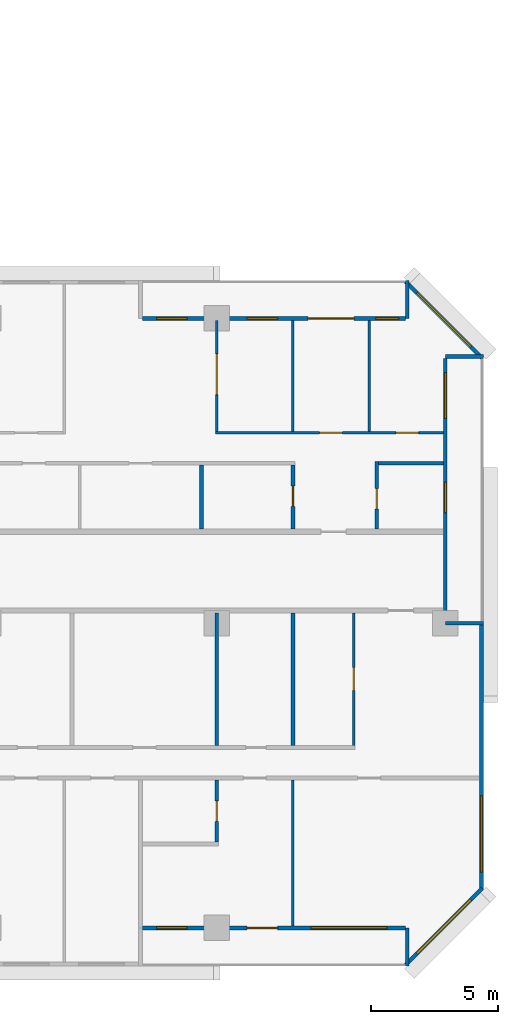
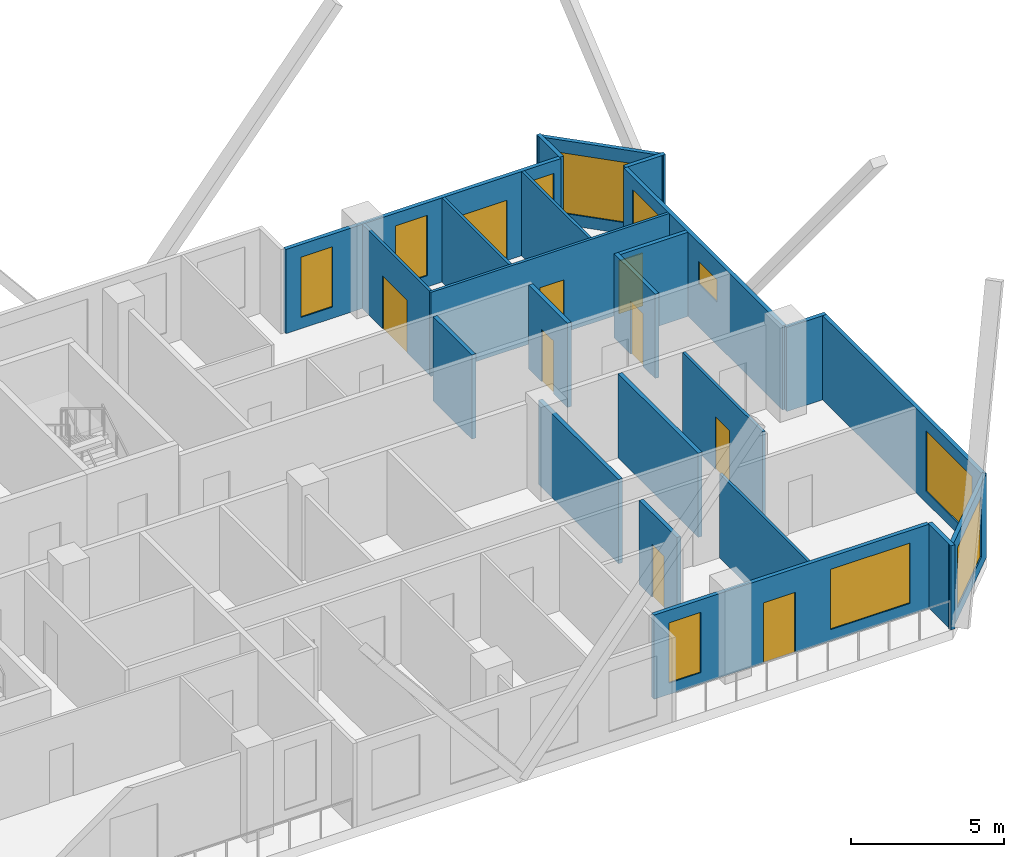
# One storey, part 12 of 15: 23 walls, 10 windows, 9 doors, 19 openings.
"""IFC4 building model written with IfcOpenShell, lengths in metres."""

from ifc_helpers import new_model, si_unit, direction, frame, frame_2d, origin, place, context, subcontext, project, spatial, rectangle, extrude, material, layer, layer_set, type_object, element, fill, save


model = new_model("IFC4")

# Units and contexts
model_context = context("Model", 3, precision=1e-05, world=origin(), true_north=direction((0.0, 1.0)))
body_context = subcontext(model_context, "Body", "Model", "MODEL_VIEW")
ifc_project = project(units=[si_unit("LENGTHUNIT", "METRE"), si_unit("AREAUNIT", "SQUARE_METRE"), si_unit("VOLUMEUNIT", "CUBIC_METRE"), si_unit("PLANEANGLEUNIT", "RADIAN"), si_unit("MASSUNIT", "GRAM", prefix="KILO")], contexts=[model_context])

# Site, building, storey
site_placement = place(None, origin())
site = spatial("IfcSite", under=ifc_project, at=site_placement, CompositionType="ELEMENT")
building_placement = place(site_placement, origin())
building = spatial("IfcBuilding", under=site, at=building_placement, Name="Chenar Terraces", CompositionType="ELEMENT")
storey_placement = place(building_placement, frame((0.0, 0.0, 129.39990234375)))
storey = spatial("IfcBuildingStorey", under=building, at=storey_placement, Name="L30", CompositionType="ELEMENT", Elevation=129.39990234375)

# Wall, opening, window
ifc_material_1 = material(Name="Aluminium framed glazing", Category="aluminium")
ifc_layer_1 = layer(ifc_material_1, 0.14990234375)
ifc_layer_set_1 = layer_set([ifc_layer_1], Name="Aluminium framed glazing")
wall_type_1 = type_object("IfcWallType", Name="Glazed flush facade wall 150", PredefinedType="SOLIDWALL", material=ifc_layer_set_1)
wall_1_placement = place(storey_placement, frame((73.425048828125, 1.5, 0.0), z_axis=(0.0, 0.0, 1.0), x_axis=(0.0, 1.0, 0.0)))
wall_1 = element("IfcWall", 1, at=wall_1_placement, inside=storey, type_object=wall_type_1, Name="Glazed flush facade wall", PredefinedType="SOLIDWALL", context=body_context, shape_type="SweptSolid", body=[
    extrude(rectangle(XDim=10.425048828125, YDim=0.14990234375, at=frame_2d((5.21240234375, 0.0))), origin(), (0.0, 0.0, 1.0), 3.35009765625),
])
opening_1_placement = place(wall_1_placement, frame((0.699951171875, 0.0, 0.449951171875)))
opening_1 = element("IfcOpeningElement", 2, at=opening_1_placement, cuts=wall_1, Name="Opening W300x240", PredefinedType="OPENING", context=body_context, shape_type="SweptSolid", body=[
    extrude(rectangle(XDim=3.0, YDim=2.39990234375, at=frame_2d((1.5, 1.199951171875))), frame((0.0, 0.0849609375, 0.0), z_axis=(0.0, -1.0, 0.0), x_axis=(1.0, 0.0, 0.0)), (0.0, 0.0, 1.0), 0.169921875),
])
ifc_material_2 = material(Name="Low emissivity double glazing, aluminium frame", Category="aluminium")
window_type_1 = type_object("IfcWindowType", Name="Fixed light 3000 x 2400", PartitioningType="SINGLE_PANEL", PredefinedType="WINDOW", material=ifc_material_2)
window_1_placement = place(opening_1_placement, origin())
window_1 = element("IfcWindow", 3, at=window_1_placement, inside=storey, type_object=window_type_1, Name="Window", OverallHeight=2.39990234375, OverallWidth=3.0, PartitioningType="SINGLE_PANEL", PredefinedType="WINDOW", context=body_context, shape_type="SweptSolid", body=[
    extrude(rectangle(XDim=3.0, YDim=2.39990234375, at=frame_2d((1.5, 1.199951171875))), frame((0.0, 0.030029296875, 0.0), z_axis=(0.0, -1.0, 0.0), x_axis=(1.0, 0.0, 0.0)), (0.0, 0.0, 1.0), 0.06005859375),
])
fill(opening_1, window_1)

# Wall, openings, windows, door
ifc_material_3 = material(Name="Aluminium framed glazing", Category="aluminium")
ifc_layer_2 = layer(ifc_material_3, 0.14990234375)
ifc_layer_set_2 = layer_set([ifc_layer_2], Name="Aluminium framed glazing")
wall_type_2 = type_object("IfcWallType", Name="Glazed loggia back wall 150", PredefinedType="SOLIDWALL", material=ifc_layer_set_2)
wall_2_placement = place(storey_placement, frame((70.425048828125, 24.0, 0.0), z_axis=(0.0, 0.0, 1.0), x_axis=(-1.0, 0.0, 0.0)))
wall_2 = element("IfcWall", 4, at=wall_2_placement, inside=storey, type_object=wall_type_2, Name="Glazed loggia back wall", PredefinedType="SOLIDWALL", context=body_context, shape_type="SweptSolid", body=[
    extrude(rectangle(XDim=10.35009765625, YDim=0.14990234375, at=frame_2d((5.175048828125, 0.0))), origin(), (0.0, 0.0, 1.0), 3.35009765625),
])
opening_2_placement = place(wall_2_placement, frame((0.262451171875, 0.0, 0.449951171875)))
opening_2 = element("IfcOpeningElement", 5, at=opening_2_placement, cuts=wall_2, Name="Opening W90x240", PredefinedType="OPENING", context=body_context, shape_type="SweptSolid", body=[
    extrude(rectangle(XDim=0.89990234375, YDim=2.39990234375, at=frame_2d((0.449951171875, 1.199951171875))), frame((0.0, 0.0849609375, 0.0), z_axis=(0.0, -1.0, 0.0), x_axis=(1.0, 0.0, 0.0)), (0.0, 0.0, 1.0), 0.169921875),
])
opening_3_placement = place(wall_2_placement, frame((2.02490234375, 0.0, 0.0)))
opening_3 = element("IfcOpeningElement", 6, at=opening_3_placement, cuts=wall_2, Name="Opening DL30-G1", PredefinedType="OPENING", context=body_context, shape_type="SweptSolid", body=[
    extrude(rectangle(XDim=1.800048828125, YDim=2.39990234375, at=frame_2d((0.89990234375, 1.199951171875))), frame((0.0, 0.0849609375, 0.0), z_axis=(0.0, -1.0, 0.0), x_axis=(1.0, 0.0, 0.0)), (0.0, 0.0, 1.0), 0.169921875),
])
opening_4_placement = place(wall_2_placement, frame((5.02490234375, 0.0, 0.449951171875)))
opening_4 = element("IfcOpeningElement", 7, at=opening_4_placement, cuts=wall_2, Name="Opening W120x240", PredefinedType="OPENING", context=body_context, shape_type="SweptSolid", body=[
    extrude(rectangle(XDim=1.199951171875, YDim=2.39990234375, at=frame_2d((0.60009765625, 1.199951171875))), frame((0.0, 0.0849609375, 0.0), z_axis=(0.0, -1.0, 0.0), x_axis=(1.0, 0.0, 0.0)), (0.0, 0.0, 1.0), 0.169921875),
])
opening_5_placement = place(wall_2_placement, frame((8.58740234375, 0.0, 0.449951171875)))
opening_5 = element("IfcOpeningElement", 8, at=opening_5_placement, cuts=wall_2, Name="Opening W120x240", PredefinedType="OPENING", context=body_context, shape_type="SweptSolid", body=[
    extrude(rectangle(XDim=1.199951171875, YDim=2.39990234375, at=frame_2d((0.60009765625, 1.199951171875))), frame((0.0, 0.0849609375, 0.0), z_axis=(0.0, -1.0, 0.0), x_axis=(1.0, 0.0, 0.0)), (0.0, 0.0, 1.0), 0.169921875),
])
ifc_material_4 = material(Name="Low emissivity double glazing, aluminium frame", Category="aluminium")
window_type_2 = type_object("IfcWindowType", Name="Fixed light 1200 x 2400", PartitioningType="SINGLE_PANEL", PredefinedType="WINDOW", material=ifc_material_4)
window_2_placement = place(opening_4_placement, origin())
window_2 = element("IfcWindow", 9, at=window_2_placement, inside=storey, type_object=window_type_2, Name="Window", OverallHeight=2.39990234375, OverallWidth=1.199951171875, PartitioningType="SINGLE_PANEL", PredefinedType="WINDOW", context=body_context, shape_type="SweptSolid", body=[
    extrude(rectangle(XDim=1.199951171875, YDim=2.39990234375, at=frame_2d((0.60009765625, 1.199951171875))), frame((0.0, 0.030029296875, 0.0), z_axis=(0.0, -1.0, 0.0), x_axis=(1.0, 0.0, 0.0)), (0.0, 0.0, 1.0), 0.06005859375),
])
fill(opening_4, window_2)
window_3_placement = place(opening_5_placement, origin())
window_3 = element("IfcWindow", 10, at=window_3_placement, inside=storey, type_object=window_type_2, Name="Window", OverallHeight=2.39990234375, OverallWidth=1.199951171875, PartitioningType="SINGLE_PANEL", PredefinedType="WINDOW", context=body_context, shape_type="SweptSolid", body=[
    extrude(rectangle(XDim=1.199951171875, YDim=2.39990234375, at=frame_2d((0.60009765625, 1.199951171875))), frame((0.0, 0.030029296875, 0.0), z_axis=(0.0, -1.0, 0.0), x_axis=(1.0, 0.0, 0.0)), (0.0, 0.0, 1.0), 0.06005859375),
])
fill(opening_5, window_3)
ifc_material_5 = material(Name="Low emissivity double glazing, aluminium frame", Category="aluminium")
window_type_3 = type_object("IfcWindowType", Name="Fixed light 900 x 2400", PartitioningType="SINGLE_PANEL", PredefinedType="WINDOW", material=ifc_material_5)
window_4_placement = place(opening_2_placement, origin())
window_4 = element("IfcWindow", 11, at=window_4_placement, inside=storey, type_object=window_type_3, Name="Window", OverallHeight=2.39990234375, OverallWidth=0.89990234375, PartitioningType="SINGLE_PANEL", PredefinedType="WINDOW", context=body_context, shape_type="SweptSolid", body=[
    extrude(rectangle(XDim=0.89990234375, YDim=2.39990234375, at=frame_2d((0.449951171875, 1.199951171875))), frame((0.0, 0.030029296875, 0.0), z_axis=(0.0, -1.0, 0.0), x_axis=(1.0, 0.0, 0.0)), (0.0, 0.0, 1.0), 0.06005859375),
])
fill(opening_2, window_4)
ifc_material_6 = material(Name="Low emissivity double glazing, aluminium frame", Category="aluminium")
door_type_1 = type_object("IfcDoorType", Name="Loggia glazed double door 1800 x 2400", OperationType="DOUBLE_DOOR_SINGLE_SWING", PredefinedType="DOOR", material=ifc_material_6)
door_1_placement = place(opening_3_placement, frame((1.800048828125, 0.0, 0.0), z_axis=(0.0, 0.0, 1.0), x_axis=(-1.0, 0.0, 0.0)))
door_1 = element("IfcDoor", 12, at=door_1_placement, inside=storey, type_object=door_type_1, Name="Loggia glazed door", OperationType="DOUBLE_DOOR_SINGLE_SWING", OverallHeight=2.39990234375, OverallWidth=1.800048828125, PredefinedType="DOOR", context=body_context, shape_type="SweptSolid", body=[
    extrude(rectangle(XDim=1.800048828125, YDim=2.39990234375, at=frame_2d((0.89990234375, 1.199951171875))), frame((0.0, 0.02490234375, 0.0), z_axis=(0.0, -1.0, 0.0), x_axis=(1.0, 0.0, 0.0)), (0.0, 0.0, 1.0), 0.050048828125),
])
fill(opening_3, door_1)

wall_3_placement = place(storey_placement, frame((60.074951171875, 0.0, 0.0), z_axis=(0.0, 0.0, 1.0), x_axis=(1.0, 0.0, 0.0)))
wall_3 = element("IfcWall", 13, at=wall_3_placement, inside=storey, type_object=wall_type_2, Name="Glazed loggia back wall", PredefinedType="SOLIDWALL", context=body_context, shape_type="SweptSolid", body=[
    extrude(rectangle(XDim=10.35009765625, YDim=0.14990234375, at=frame_2d((5.175048828125, 0.0))), origin(), (0.0, 0.0, 1.0), 3.35009765625),
])
opening_6_placement = place(wall_3_placement, frame((0.5625, 0.0, 0.449951171875)))
opening_6 = element("IfcOpeningElement", 14, at=opening_6_placement, cuts=wall_3, Name="Opening W120x240", PredefinedType="OPENING", context=body_context, shape_type="SweptSolid", body=[
    extrude(rectangle(XDim=1.199951171875, YDim=2.39990234375, at=frame_2d((0.60009765625, 1.199951171875))), frame((0.0, 0.0849609375, 0.0), z_axis=(0.0, -1.0, 0.0), x_axis=(1.0, 0.0, 0.0)), (0.0, 0.0, 1.0), 0.169921875),
])
opening_7_placement = place(wall_3_placement, frame((4.125, 0.0, 0.0)))
opening_7 = element("IfcOpeningElement", 15, at=opening_7_placement, cuts=wall_3, Name="Opening DL30-G7", PredefinedType="OPENING", context=body_context, shape_type="SweptSolid", body=[
    extrude(rectangle(XDim=1.199951171875, YDim=2.39990234375, at=frame_2d((0.60009765625, 1.199951171875))), frame((0.0, 0.0849609375, 0.0), z_axis=(0.0, -1.0, 0.0), x_axis=(1.0, 0.0, 0.0)), (0.0, 0.0, 1.0), 0.169921875),
])
opening_8_placement = place(wall_3_placement, frame((6.637451171875, 0.0, 0.449951171875)))
opening_8 = element("IfcOpeningElement", 16, at=opening_8_placement, cuts=wall_3, Name="Opening W300x240", PredefinedType="OPENING", context=body_context, shape_type="SweptSolid", body=[
    extrude(rectangle(XDim=3.0, YDim=2.39990234375, at=frame_2d((1.5, 1.199951171875))), frame((0.0, 0.0849609375, 0.0), z_axis=(0.0, -1.0, 0.0), x_axis=(1.0, 0.0, 0.0)), (0.0, 0.0, 1.0), 0.169921875),
])
window_5_placement = place(opening_6_placement, origin())
window_5 = element("IfcWindow", 17, at=window_5_placement, inside=storey, type_object=window_type_2, Name="Window", OverallHeight=2.39990234375, OverallWidth=1.199951171875, PartitioningType="SINGLE_PANEL", PredefinedType="WINDOW", context=body_context, shape_type="SweptSolid", body=[
    extrude(rectangle(XDim=1.199951171875, YDim=2.39990234375, at=frame_2d((0.60009765625, 1.199951171875))), frame((0.0, 0.030029296875, 0.0), z_axis=(0.0, -1.0, 0.0), x_axis=(1.0, 0.0, 0.0)), (0.0, 0.0, 1.0), 0.06005859375),
])
fill(opening_6, window_5)
window_6_placement = place(opening_8_placement, origin())
window_6 = element("IfcWindow", 18, at=window_6_placement, inside=storey, type_object=window_type_1, Name="Window", OverallHeight=2.39990234375, OverallWidth=3.0, PartitioningType="SINGLE_PANEL", PredefinedType="WINDOW", context=body_context, shape_type="SweptSolid", body=[
    extrude(rectangle(XDim=3.0, YDim=2.39990234375, at=frame_2d((1.5, 1.199951171875))), frame((0.0, 0.030029296875, 0.0), z_axis=(0.0, -1.0, 0.0), x_axis=(1.0, 0.0, 0.0)), (0.0, 0.0, 1.0), 0.06005859375),
])
fill(opening_8, window_6)
ifc_material_7 = material(Name="Low emissivity double glazing, aluminium frame", Category="aluminium")
door_type_2 = type_object("IfcDoorType", Name="Loggia glazed double door 1200 x 2400", OperationType="DOUBLE_DOOR_SINGLE_SWING", PredefinedType="DOOR", material=ifc_material_7)
door_2_placement = place(opening_7_placement, frame((1.199951171875, 0.0, 0.0), z_axis=(0.0, 0.0, 1.0), x_axis=(-1.0, 0.0, 0.0)))
door_2 = element("IfcDoor", 19, at=door_2_placement, inside=storey, type_object=door_type_2, Name="Loggia glazed door", OperationType="DOUBLE_DOOR_SINGLE_SWING", OverallHeight=2.39990234375, OverallWidth=1.199951171875, PredefinedType="DOOR", context=body_context, shape_type="SweptSolid", body=[
    extrude(rectangle(XDim=1.199951171875, YDim=2.39990234375, at=frame_2d((0.60009765625, 1.199951171875))), frame((0.0, 0.02490234375, 0.0), z_axis=(0.0, -1.0, 0.0), x_axis=(1.0, 0.0, 0.0)), (0.0, 0.0, 1.0), 0.050048828125),
])
fill(opening_7, door_2)

# Wall, openings, windows
wall_4_placement = place(storey_placement, frame((72.0, 12.074951171875, 0.0), z_axis=(0.0, 0.0, 1.0), x_axis=(0.0, 1.0, 0.0)))
wall_4 = element("IfcWall", 20, at=wall_4_placement, inside=storey, type_object=wall_type_2, Name="Glazed loggia back wall", PredefinedType="SOLIDWALL", context=body_context, shape_type="SweptSolid", body=[
    extrude(rectangle(XDim=10.35009765625, YDim=0.14990234375, at=frame_2d((5.175048828125, 0.0))), origin(), (0.0, 0.0, 1.0), 3.35009765625),
])
opening_9_placement = place(wall_4_placement, frame((4.27490234375, 0.0, 1.699951171875)))
opening_9 = element("IfcOpeningElement", 21, at=opening_9_placement, cuts=wall_4, Name="Opening W120x90", PredefinedType="OPENING", context=body_context, shape_type="SweptSolid", body=[
    extrude(rectangle(XDim=1.199951171875, YDim=0.89990234375, at=frame_2d((0.60009765625, 0.449951171875))), frame((0.0, 0.0849609375, 0.0), z_axis=(0.0, -1.0, 0.0), x_axis=(1.0, 0.0, 0.0)), (0.0, 0.0, 1.0), 0.169921875),
])
opening_10_placement = place(wall_4_placement, frame((7.987548828125, 0.0, 0.449951171875)))
opening_10 = element("IfcOpeningElement", 22, at=opening_10_placement, cuts=wall_4, Name="Opening W180x240", PredefinedType="OPENING", context=body_context, shape_type="SweptSolid", body=[
    extrude(rectangle(XDim=1.800048828125, YDim=2.39990234375, at=frame_2d((0.89990234375, 1.199951171875))), frame((0.0, 0.0849609375, 0.0), z_axis=(0.0, -1.0, 0.0), x_axis=(1.0, 0.0, 0.0)), (0.0, 0.0, 1.0), 0.169921875),
])
ifc_material_8 = material(Name="Low emissivity double glazing, aluminium frame", Category="aluminium")
window_type_4 = type_object("IfcWindowType", Name="Fixed light 1200 x 900", PartitioningType="SINGLE_PANEL", PredefinedType="WINDOW", material=ifc_material_8)
window_7_placement = place(opening_9_placement, origin())
window_7 = element("IfcWindow", 23, at=window_7_placement, inside=storey, type_object=window_type_4, Name="Window", OverallHeight=0.89990234375, OverallWidth=1.199951171875, PartitioningType="SINGLE_PANEL", PredefinedType="WINDOW", context=body_context, shape_type="SweptSolid", body=[
    extrude(rectangle(XDim=1.199951171875, YDim=0.89990234375, at=frame_2d((0.60009765625, 0.449951171875))), frame((0.0, 0.030029296875, 0.0), z_axis=(0.0, -1.0, 0.0), x_axis=(1.0, 0.0, 0.0)), (0.0, 0.0, 1.0), 0.06005859375),
])
fill(opening_9, window_7)
ifc_material_9 = material(Name="Low emissivity double glazing, aluminium frame", Category="aluminium")
window_type_5 = type_object("IfcWindowType", Name="Fixed light 1800 x 2400", PartitioningType="SINGLE_PANEL", PredefinedType="WINDOW", material=ifc_material_9)
window_8_placement = place(opening_10_placement, origin())
window_8 = element("IfcWindow", 24, at=window_8_placement, inside=storey, type_object=window_type_5, Name="Window", OverallHeight=2.39990234375, OverallWidth=1.800048828125, PartitioningType="SINGLE_PANEL", PredefinedType="WINDOW", context=body_context, shape_type="SweptSolid", body=[
    extrude(rectangle(XDim=1.800048828125, YDim=2.39990234375, at=frame_2d((0.89990234375, 1.199951171875))), frame((0.0, 0.030029296875, 0.0), z_axis=(0.0, -1.0, 0.0), x_axis=(1.0, 0.0, 0.0)), (0.0, 0.0, 1.0), 0.06005859375),
])
fill(opening_10, window_8)

# Wall, openings, doors
ifc_material_10 = material(Name="Gypsum board on steel studs", Category="steel")
ifc_layer_3 = layer(ifc_material_10, 0.10009765625)
ifc_layer_set_3 = layer_set([ifc_layer_3], Name="Gypsum board on steel studs")
wall_type_3 = type_object("IfcWallType", Name="Gypsum partition 100", PredefinedType="PARTITIONING", material=ifc_layer_set_3)
wall_5_placement = place(storey_placement, frame((62.949951171875, 19.5, 0.0), z_axis=(0.0, 0.0, 1.0), x_axis=(1.0, 0.0, 0.0)))
wall_5 = element("IfcWall", 25, at=wall_5_placement, inside=storey, type_object=wall_type_3, Name="Partition L30-092", PredefinedType="PARTITIONING", context=body_context, shape_type="SweptSolid", body=[
    extrude(rectangle(XDim=8.97607421875, YDim=0.10009765625, at=frame_2d((4.488037109375, 0.0))), origin(), (0.0, 0.0, 1.0), 3.35009765625),
])
opening_11_placement = place(wall_5_placement, frame((4.10009765625, 0.0, 0.0)))
opening_11 = element("IfcOpeningElement", 26, at=opening_11_placement, cuts=wall_5, Name="Opening DL30-5", PredefinedType="OPENING", context=body_context, shape_type="SweptSolid", body=[
    extrude(rectangle(XDim=0.89990234375, YDim=2.10009765625, at=frame_2d((0.449951171875, 1.050048828125))), frame((0.0, 0.06005859375, 0.0), z_axis=(0.0, -1.0, 0.0), x_axis=(1.0, 0.0, 0.0)), (0.0, 0.0, 1.0), 0.1201171875),
])
opening_12_placement = place(wall_5_placement, frame((7.10009765625, 0.0, 0.0)))
opening_12 = element("IfcOpeningElement", 27, at=opening_12_placement, cuts=wall_5, Name="Opening DL30-6", PredefinedType="OPENING", context=body_context, shape_type="SweptSolid", body=[
    extrude(rectangle(XDim=0.89990234375, YDim=2.10009765625, at=frame_2d((0.449951171875, 1.050048828125))), frame((0.0, 0.06005859375, 0.0), z_axis=(0.0, -1.0, 0.0), x_axis=(1.0, 0.0, 0.0)), (0.0, 0.0, 1.0), 0.1201171875),
])
ifc_material_11 = material(Name="Veneered timber door leaf", Category="wood")
door_type_3 = type_object("IfcDoorType", Name="Door 900 x 2100", OperationType="SINGLE_SWING_LEFT", PredefinedType="DOOR", material=ifc_material_11)
door_3_placement = place(opening_11_placement, origin())
door_3 = element("IfcDoor", 28, at=door_3_placement, inside=storey, type_object=door_type_3, Name="Door DL30-5", OperationType="SINGLE_SWING_LEFT", OverallHeight=2.10009765625, OverallWidth=0.89990234375, PredefinedType="DOOR", context=body_context, shape_type="SweptSolid", body=[
    extrude(rectangle(XDim=0.89990234375, YDim=2.10009765625, at=frame_2d((0.449951171875, 1.050048828125))), frame((0.0, 0.02490234375, 0.0), z_axis=(0.0, -1.0, 0.0), x_axis=(1.0, 0.0, 0.0)), (0.0, 0.0, 1.0), 0.050048828125),
])
fill(opening_11, door_3)
door_4_placement = place(opening_12_placement, origin())
door_4 = element("IfcDoor", 29, at=door_4_placement, inside=storey, type_object=door_type_3, Name="Door DL30-6", OperationType="SINGLE_SWING_LEFT", OverallHeight=2.10009765625, OverallWidth=0.89990234375, PredefinedType="DOOR", context=body_context, shape_type="SweptSolid", body=[
    extrude(rectangle(XDim=0.89990234375, YDim=2.10009765625, at=frame_2d((0.449951171875, 1.050048828125))), frame((0.0, 0.02490234375, 0.0), z_axis=(0.0, -1.0, 0.0), x_axis=(1.0, 0.0, 0.0)), (0.0, 0.0, 1.0), 0.050048828125),
])
fill(opening_12, door_4)

# Wall, opening, door
wall_6_placement = place(storey_placement, frame((63.0, 19.550048828125, 0.0), z_axis=(0.0, 0.0, 1.0), x_axis=(0.0, 1.0, 0.0)))
wall_6 = element("IfcWall", 30, at=wall_6_placement, inside=storey, type_object=wall_type_3, Name="Partition L30-095", PredefinedType="PARTITIONING", context=body_context, shape_type="SweptSolid", body=[
    extrude(rectangle(XDim=4.3759765625, YDim=0.10009765625, at=frame_2d((2.18798828125, 0.0))), origin(), (0.0, 0.0, 1.0), 3.35009765625),
])
opening_13_placement = place(wall_6_placement, frame((1.449951171875, 0.0, 0.0)))
opening_13 = element("IfcOpeningElement", 31, at=opening_13_placement, cuts=wall_6, Name="Opening DL30-10", PredefinedType="OPENING", context=body_context, shape_type="SweptSolid", body=[
    extrude(rectangle(XDim=1.60009765625, YDim=2.10009765625, at=frame_2d((0.800048828125, 1.050048828125))), frame((0.0, 0.06005859375, 0.0), z_axis=(0.0, -1.0, 0.0), x_axis=(1.0, 0.0, 0.0)), (0.0, 0.0, 1.0), 0.1201171875),
])
ifc_material_12 = material(Name="Veneered timber door leaf", Category="wood")
door_type_4 = type_object("IfcDoorType", Name="Double door 1600 x 2100", OperationType="DOUBLE_DOOR_SINGLE_SWING", PredefinedType="DOOR", material=ifc_material_12)
door_5_placement = place(opening_13_placement, frame((1.60009765625, 0.0, 0.0), z_axis=(0.0, 0.0, 1.0), x_axis=(-1.0, 0.0, 0.0)))
door_5 = element("IfcDoor", 32, at=door_5_placement, inside=storey, type_object=door_type_4, Name="Door DL30-10", OperationType="DOUBLE_DOOR_SINGLE_SWING", OverallHeight=2.10009765625, OverallWidth=1.60009765625, PredefinedType="DOOR", context=body_context, shape_type="SweptSolid", body=[
    extrude(rectangle(XDim=1.60009765625, YDim=2.10009765625, at=frame_2d((0.800048828125, 1.050048828125))), frame((0.0, 0.02490234375, 0.0), z_axis=(0.0, -1.0, 0.0), x_axis=(1.0, 0.0, 0.0)), (0.0, 0.0, 1.0), 0.050048828125),
])
fill(opening_13, door_5)

# Walls
wall_7_placement = place(storey_placement, frame((66.0, 0.073974609375, 0.0), z_axis=(0.0, 0.0, 1.0), x_axis=(0.0, 1.0, 0.0)))
element("IfcWall", 33, at=wall_7_placement, inside=storey, type_object=wall_type_3, Name="Partition L30-096", PredefinedType="PARTITIONING", context=body_context, shape_type="SweptSolid", body=[
    extrude(rectangle(XDim=5.7509765625, YDim=0.10009765625, at=frame_2d((2.87548828125, 0.0))), origin(), (0.0, 0.0, 1.0), 3.35009765625),
])
wall_8_placement = place(storey_placement, frame((66.0, 19.550048828125, 0.0), z_axis=(0.0, 0.0, 1.0), x_axis=(0.0, 1.0, 0.0)))
element("IfcWall", 34, at=wall_8_placement, inside=storey, type_object=wall_type_3, Name="Partition L30-099", PredefinedType="PARTITIONING", context=body_context, shape_type="SweptSolid", body=[
    extrude(rectangle(XDim=4.3759765625, YDim=0.10009765625, at=frame_2d((2.18798828125, 0.0))), origin(), (0.0, 0.0, 1.0), 3.35009765625),
])

# Wall, opening, door
wall_9_placement = place(storey_placement, frame((68.39990234375, 7.175048828125, 0.0), z_axis=(0.0, 0.0, 1.0), x_axis=(0.0, 1.0, 0.0)))
wall_9 = element("IfcWall", 35, at=wall_9_placement, inside=storey, type_object=wall_type_3, Name="Partition L30-100", PredefinedType="PARTITIONING", context=body_context, shape_type="SweptSolid", body=[
    extrude(rectangle(XDim=5.224853515625, YDim=0.10009765625, at=frame_2d((2.6123046875, 0.0))), origin(), (0.0, 0.0, 1.0), 3.35009765625),
])
opening_14_placement = place(wall_9_placement, frame((2.175048828125, 0.0, 0.0)))
opening_14 = element("IfcOpeningElement", 36, at=opening_14_placement, cuts=wall_9, Name="Opening DL30-26", PredefinedType="OPENING", context=body_context, shape_type="SweptSolid", body=[
    extrude(rectangle(XDim=0.89990234375, YDim=2.10009765625, at=frame_2d((0.449951171875, 1.050048828125))), frame((0.0, 0.06005859375, 0.0), z_axis=(0.0, -1.0, 0.0), x_axis=(1.0, 0.0, 0.0)), (0.0, 0.0, 1.0), 0.1201171875),
])
door_6_placement = place(opening_14_placement, origin())
door_6 = element("IfcDoor", 37, at=door_6_placement, inside=storey, type_object=door_type_3, Name="Door DL30-26", OperationType="SINGLE_SWING_RIGHT", OverallHeight=2.10009765625, OverallWidth=0.89990234375, PredefinedType="DOOR", context=body_context, shape_type="SweptSolid", body=[
    extrude(rectangle(XDim=0.89990234375, YDim=2.10009765625, at=frame_2d((0.449951171875, 1.050048828125))), frame((0.0, 0.02490234375, 0.0), z_axis=(0.0, -1.0, 0.0), x_axis=(1.0, 0.0, 0.0)), (0.0, 0.0, 1.0), 0.050048828125),
])
fill(opening_14, door_6)

# Walls
wall_10_placement = place(storey_placement, frame((69.0, 19.550048828125, 0.0), z_axis=(0.0, 0.0, 1.0), x_axis=(0.0, 1.0, 0.0)))
element("IfcWall", 38, at=wall_10_placement, inside=storey, type_object=wall_type_3, Name="Partition L30-101", PredefinedType="PARTITIONING", context=body_context, shape_type="SweptSolid", body=[
    extrude(rectangle(XDim=4.3759765625, YDim=0.10009765625, at=frame_2d((2.18798828125, 0.0))), origin(), (0.0, 0.0, 1.0), 3.35009765625),
])
ifc_material_13 = material(Name="Terracotta cladding on insulated backing", Category="masonry")
ifc_layer_4 = layer(ifc_material_13, 0.14990234375)
ifc_layer_set_4 = layer_set([ifc_layer_4], Name="Terracotta cladding on insulated backing")
wall_type_4 = type_object("IfcWallType", Name="Loggia return wall 150", PredefinedType="SOLIDWALL", material=ifc_layer_set_4)
for number, where, z_axis, x_axis, name in (
    (39, (70.5, 25.5, 0.0), (0.0, 0.0, 1.0), (0.0, -1.0, 0.0), "Loggia return wall"),
    (40, (70.5, -1.5, 0.0), (0.0, 0.0, 1.0), (0.0, 1.0, 0.0), "Loggia return wall"),
    (41, (73.5, 12.0, 0.0), (0.0, 0.0, 1.0), (-1.0, 0.0, 0.0), "Loggia return wall"),
    (42, (73.5, 22.5, 0.0), (0.0, 0.0, 1.0), (-1.0, 0.0, 0.0), "Loggia return wall"),
):
    element("IfcWall", number, at=place(storey_placement, frame(where, z_axis=z_axis, x_axis=x_axis)), inside=storey, type_object=wall_type_4, Name=name, PredefinedType="SOLIDWALL", context=body_context, shape_type="SweptSolid", body=[
        extrude(rectangle(XDim=1.5, YDim=0.14990234375, at=frame_2d((0.75, 0.0))), origin(), (0.0, 0.0, 1.0), 3.35009765625),
    ])

# Wall, opening, window
ifc_material_14 = material(Name="Terracotta cladding on insulated backing", Category="masonry")
ifc_layer_5 = layer(ifc_material_14, 0.14990234375)
ifc_layer_set_5 = layer_set([ifc_layer_5], Name="Terracotta cladding on insulated backing")
wall_type_5 = type_object("IfcWallType", Name="Terracotta rainscreen wall 150", PredefinedType="SOLIDWALL", material=ifc_layer_set_5)
wall_11_placement = place(storey_placement, frame((70.447021484375, -1.447021484375, 0.0), z_axis=(0.0, 0.0, 1.0), x_axis=(0.707106781187, 0.707106781187, 0.0)))
wall_11 = element("IfcWall", 43, at=wall_11_placement, inside=storey, type_object=wall_type_5, Name="Terracotta rainscreen wall", PredefinedType="SOLIDWALL", context=body_context, shape_type="SweptSolid", body=[
    extrude(rectangle(XDim=4.24267578125, YDim=0.14990234375, at=frame_2d((2.121337890625, 0.0))), origin(), (0.0, 0.0, 1.0), 3.35009765625),
])
opening_15_placement = place(wall_11_placement, frame((0.621337890625, 0.0, 0.449951171875)))
opening_15 = element("IfcOpeningElement", 44, at=opening_15_placement, cuts=wall_11, Name="Opening W300x240", PredefinedType="OPENING", context=body_context, shape_type="SweptSolid", body=[
    extrude(rectangle(XDim=3.0, YDim=2.39990234375, at=frame_2d((1.5, 1.199951171875))), frame((0.0, 0.0849609375, 0.0), z_axis=(0.0, -1.0, 0.0), x_axis=(1.0, 0.0, 0.0)), (0.0, 0.0, 1.0), 0.169921875),
])
window_9_placement = place(opening_15_placement, origin())
window_9 = element("IfcWindow", 45, at=window_9_placement, inside=storey, type_object=window_type_1, Name="Window", OverallHeight=2.39990234375, OverallWidth=3.0, PartitioningType="SINGLE_PANEL", PredefinedType="WINDOW", context=body_context, shape_type="SweptSolid", body=[
    extrude(rectangle(XDim=3.0, YDim=2.39990234375, at=frame_2d((1.5, 1.199951171875))), frame((0.0, 0.030029296875, 0.0), z_axis=(0.0, -1.0, 0.0), x_axis=(1.0, 0.0, 0.0)), (0.0, 0.0, 1.0), 0.06005859375),
])
fill(opening_15, window_9)

wall_12_placement = place(storey_placement, frame((73.447021484375, 22.447021484375, 0.0), z_axis=(0.0, 0.0, 1.0), x_axis=(-0.707106781187, 0.707106781187, 0.0)))
wall_12 = element("IfcWall", 46, at=wall_12_placement, inside=storey, type_object=wall_type_5, Name="Terracotta rainscreen wall", PredefinedType="SOLIDWALL", context=body_context, shape_type="SweptSolid", body=[
    extrude(rectangle(XDim=4.24267578125, YDim=0.14990234375, at=frame_2d((2.121337890625, 0.0))), origin(), (0.0, 0.0, 1.0), 3.35009765625),
])
opening_16_placement = place(wall_12_placement, frame((0.621337890625, 0.0, 0.449951171875)))
opening_16 = element("IfcOpeningElement", 47, at=opening_16_placement, cuts=wall_12, Name="Opening W300x240", PredefinedType="OPENING", context=body_context, shape_type="SweptSolid", body=[
    extrude(rectangle(XDim=3.0, YDim=2.39990234375, at=frame_2d((1.5, 1.199951171875))), frame((0.0, 0.0849609375, 0.0), z_axis=(0.0, -1.0, 0.0), x_axis=(1.0, 0.0, 0.0)), (0.0, 0.0, 1.0), 0.169921875),
])
window_10_placement = place(opening_16_placement, origin())
window_10 = element("IfcWindow", 48, at=window_10_placement, inside=storey, type_object=window_type_1, Name="Window", OverallHeight=2.39990234375, OverallWidth=3.0, PartitioningType="SINGLE_PANEL", PredefinedType="WINDOW", context=body_context, shape_type="SweptSolid", body=[
    extrude(rectangle(XDim=3.0, YDim=2.39990234375, at=frame_2d((1.5, 1.199951171875))), frame((0.0, 0.030029296875, 0.0), z_axis=(0.0, -1.0, 0.0), x_axis=(1.0, 0.0, 0.0)), (0.0, 0.0, 1.0), 0.06005859375),
])
fill(opening_16, window_10)

# Wall
ifc_material_15 = material(Name="Moisture-resistant gypsum board on steel studs", Category="steel")
ifc_layer_6 = layer(ifc_material_15, 0.14990234375)
ifc_layer_set_6 = layer_set([ifc_layer_6], Name="Moisture-resistant gypsum board on steel studs")
wall_type_6 = type_object("IfcWallType", Name="Wet-room partition 150", PredefinedType="PARTITIONING", material=ifc_layer_set_6)
wall_13_placement = place(storey_placement, frame((62.39990234375, 15.699951171875, 0.0), z_axis=(0.0, 0.0, 1.0), x_axis=(0.0, 1.0, 0.0)))
element("IfcWall", 49, at=wall_13_placement, inside=storey, type_object=wall_type_6, Name="Partition L30-091", PredefinedType="PARTITIONING", context=body_context, shape_type="SweptSolid", body=[
    extrude(rectangle(XDim=2.525146484375, YDim=0.14990234375, at=frame_2d((1.2626953125, 0.0))), origin(), (0.0, 0.0, 1.0), 3.35009765625),
])

# Wall, opening, door
wall_14_placement = place(storey_placement, frame((63.0, 3.375, 0.0), z_axis=(0.0, 0.0, 1.0), x_axis=(0.0, 1.0, 0.0)))
wall_14 = element("IfcWall", 50, at=wall_14_placement, inside=storey, type_object=wall_type_6, Name="Partition L30-093", PredefinedType="PARTITIONING", context=body_context, shape_type="SweptSolid", body=[
    extrude(rectangle(XDim=2.449951171875, YDim=0.14990234375, at=frame_2d((1.22509765625, 0.0))), origin(), (0.0, 0.0, 1.0), 3.35009765625),
])
opening_17_placement = place(wall_14_placement, frame((0.824951171875, 0.0, 0.0)))
opening_17 = element("IfcOpeningElement", 51, at=opening_17_placement, cuts=wall_14, Name="Opening DL30-17", PredefinedType="OPENING", context=body_context, shape_type="SweptSolid", body=[
    extrude(rectangle(XDim=0.800048828125, YDim=2.10009765625, at=frame_2d((0.39990234375, 1.050048828125))), frame((0.0, 0.0849609375, 0.0), z_axis=(0.0, -1.0, 0.0), x_axis=(1.0, 0.0, 0.0)), (0.0, 0.0, 1.0), 0.169921875),
])
ifc_material_16 = material(Name="Veneered timber door leaf", Category="wood")
door_type_5 = type_object("IfcDoorType", Name="Door 800 x 2100", OperationType="SINGLE_SWING_LEFT", PredefinedType="DOOR", material=ifc_material_16)
door_7_placement = place(opening_17_placement, origin())
door_7 = element("IfcDoor", 52, at=door_7_placement, inside=storey, type_object=door_type_5, Name="Door DL30-17", OperationType="SINGLE_SWING_RIGHT", OverallHeight=2.10009765625, OverallWidth=0.800048828125, PredefinedType="DOOR", context=body_context, shape_type="SweptSolid", body=[
    extrude(rectangle(XDim=0.800048828125, YDim=2.10009765625, at=frame_2d((0.39990234375, 1.050048828125))), frame((0.0, 0.02490234375, 0.0), z_axis=(0.0, -1.0, 0.0), x_axis=(1.0, 0.0, 0.0)), (0.0, 0.0, 1.0), 0.050048828125),
])
fill(opening_17, door_7)

# Walls
for number, where, z_axis, x_axis, name in (
    (53, (63.0, 7.175048828125, 0.0), (0.0, 0.0, 1.0), (0.0, 1.0, 0.0), "Partition L30-094"),
    (54, (66.0, 7.175048828125, 0.0), (0.0, 0.0, 1.0), (0.0, 1.0, 0.0), "Partition L30-097"),
):
    element("IfcWall", number, at=place(storey_placement, frame(where, z_axis=z_axis, x_axis=x_axis)), inside=storey, type_object=wall_type_6, Name=name, PredefinedType="PARTITIONING", context=body_context, shape_type="SweptSolid", body=[
        extrude(rectangle(XDim=5.224853515625, YDim=0.14990234375, at=frame_2d((2.6123046875, 0.0))), origin(), (0.0, 0.0, 1.0), 3.35009765625),
    ])

# Wall, opening, door
wall_15_placement = place(storey_placement, frame((66.0, 15.699951171875, 0.0), z_axis=(0.0, 0.0, 1.0), x_axis=(0.0, 1.0, 0.0)))
wall_15 = element("IfcWall", 55, at=wall_15_placement, inside=storey, type_object=wall_type_6, Name="Partition L30-098", PredefinedType="PARTITIONING", context=body_context, shape_type="SweptSolid", body=[
    extrude(rectangle(XDim=2.525146484375, YDim=0.14990234375, at=frame_2d((1.2626953125, 0.0))), origin(), (0.0, 0.0, 1.0), 3.35009765625),
])
opening_18_placement = place(wall_15_placement, frame((0.89990234375, 0.0, 0.0)))
opening_18 = element("IfcOpeningElement", 56, at=opening_18_placement, cuts=wall_15, Name="Opening DL30-4", PredefinedType="OPENING", context=body_context, shape_type="SweptSolid", body=[
    extrude(rectangle(XDim=0.800048828125, YDim=2.10009765625, at=frame_2d((0.39990234375, 1.050048828125))), frame((0.0, 0.0849609375, 0.0), z_axis=(0.0, -1.0, 0.0), x_axis=(1.0, 0.0, 0.0)), (0.0, 0.0, 1.0), 0.169921875),
])
door_8_placement = place(opening_18_placement, origin())
door_8 = element("IfcDoor", 57, at=door_8_placement, inside=storey, type_object=door_type_5, Name="Door DL30-4", OperationType="SINGLE_SWING_RIGHT", OverallHeight=2.10009765625, OverallWidth=0.800048828125, PredefinedType="DOOR", context=body_context, shape_type="SweptSolid", body=[
    extrude(rectangle(XDim=0.800048828125, YDim=2.10009765625, at=frame_2d((0.39990234375, 1.050048828125))), frame((0.0, 0.02490234375, 0.0), z_axis=(0.0, -1.0, 0.0), x_axis=(1.0, 0.0, 0.0)), (0.0, 0.0, 1.0), 0.050048828125),
])
fill(opening_18, door_8)

wall_16_placement = place(storey_placement, frame((69.300048828125, 15.699951171875, 0.0), z_axis=(0.0, 0.0, 1.0), x_axis=(0.0, 1.0, 0.0)))
wall_16 = element("IfcWall", 58, at=wall_16_placement, inside=storey, type_object=wall_type_6, Name="Partition L30-102", PredefinedType="PARTITIONING", context=body_context, shape_type="SweptSolid", body=[
    extrude(rectangle(XDim=2.675048828125, YDim=0.14990234375, at=frame_2d((1.33740234375, 0.0))), origin(), (0.0, 0.0, 1.0), 3.35009765625),
])
opening_19_placement = place(wall_16_placement, frame((0.800048828125, 0.0, 0.0)))
opening_19 = element("IfcOpeningElement", 59, at=opening_19_placement, cuts=wall_16, Name="Opening DL30-8", PredefinedType="OPENING", context=body_context, shape_type="SweptSolid", body=[
    extrude(rectangle(XDim=0.800048828125, YDim=2.10009765625, at=frame_2d((0.39990234375, 1.050048828125))), frame((0.0, 0.0849609375, 0.0), z_axis=(0.0, -1.0, 0.0), x_axis=(1.0, 0.0, 0.0)), (0.0, 0.0, 1.0), 0.169921875),
])
door_9_placement = place(opening_19_placement, frame((0.800048828125, 0.0, 0.0), z_axis=(0.0, 0.0, 1.0), x_axis=(-1.0, 0.0, 0.0)))
door_9 = element("IfcDoor", 60, at=door_9_placement, inside=storey, type_object=door_type_5, Name="Door DL30-8", OperationType="SINGLE_SWING_RIGHT", OverallHeight=2.10009765625, OverallWidth=0.800048828125, PredefinedType="DOOR", context=body_context, shape_type="SweptSolid", body=[
    extrude(rectangle(XDim=0.800048828125, YDim=2.10009765625, at=frame_2d((0.39990234375, 1.050048828125))), frame((0.0, 0.02490234375, 0.0), z_axis=(0.0, -1.0, 0.0), x_axis=(1.0, 0.0, 0.0)), (0.0, 0.0, 1.0), 0.050048828125),
])
fill(opening_19, door_9)

# Wall
wall_17_placement = place(storey_placement, frame((69.375, 18.300048828125, 0.0), z_axis=(0.0, 0.0, 1.0), x_axis=(1.0, 0.0, 0.0)))
element("IfcWall", 61, at=wall_17_placement, inside=storey, type_object=wall_type_6, Name="Partition L30-103", PredefinedType="PARTITIONING", context=body_context, shape_type="SweptSolid", body=[
    extrude(rectangle(XDim=2.551025390625, YDim=0.14990234375, at=frame_2d((1.275390625, 0.0))), origin(), (0.0, 0.0, 1.0), 3.35009765625),
])

save(model, "model.ifc")
